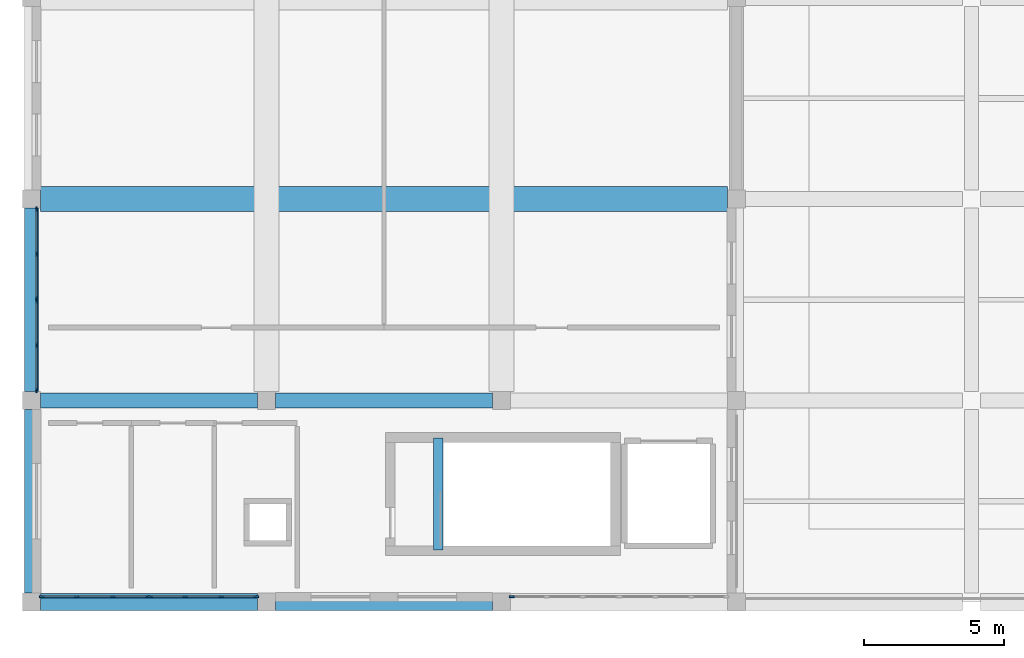
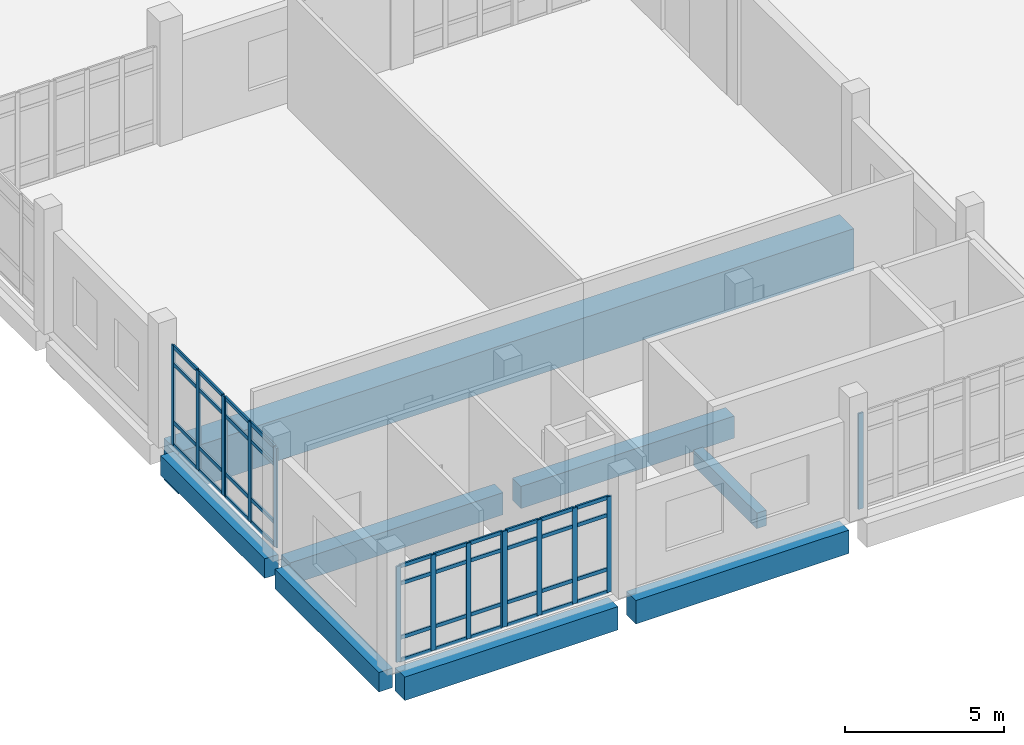
# One storey, part 2 of 73: 55 members, 8 beams, 5 elements without a shape of their own.
"""IFC4 building model written with IfcOpenShell, lengths in metres."""

import ifcopenshell
import ifcopenshell.guid

model = None  # the IFC model being written
_history = None  # IfcOwnerHistory: only IFC2X3 demands one
_inside = {}  # id of a spatial element -> (the spatial element, [elements in it])
_under = {}  # id of a project, library or spatial element -> (it, [spatial elements below it])
_declared = {}  # id of a project -> (the project, [libraries it declares])
_typed = {}  # id of a type object -> (the type object, [elements of that type])
_made_of = {}  # id of a material, layer set ... -> (it, [elements and type objects made of it])


def new_model(schema):
    """Start an empty IFC model of exactly this schema.

    Asked for "IFC4X3", IfcOpenShell would pick the latest addendum, in which some entities
    have other attributes; the version numbers below select the first issue.
    IFC2X3 requires an IfcOwnerHistory on every rooted entity: one is made here for all.
    """
    global model, _history
    if schema == "IFC4X3":
        model = ifcopenshell.file(schema_version=(4, 3, 0, 0))
    else:
        model = ifcopenshell.file(schema=schema)
    _inside.clear()
    _under.clear()
    _declared.clear()
    _typed.clear()
    _made_of.clear()
    _history = None
    if model.schema == "IFC2X3":
        org = make("IfcOrganization", Name="unknown")
        user = make(
            "IfcPersonAndOrganization",
            ThePerson=make("IfcPerson", FamilyName="unknown"),
            TheOrganization=org,
        )
        app = make(
            "IfcApplication",
            ApplicationDeveloper=org,
            Version="unknown",
            ApplicationFullName="unknown",
            ApplicationIdentifier="unknown",
        )
        _history = make(
            "IfcOwnerHistory",
            OwningUser=user,
            OwningApplication=app,
            ChangeAction="ADDED",
            CreationDate=0,
        )
    return model


def make(cls, **values):
    """One entity of the class cls with the attributes given. An attribute that is None is left unset."""
    return model.create_entity(
        cls, **{name: value for name, value in values.items() if value is not None}
    )


def rooted(cls, **values):
    """An entity with a GlobalId (a new one), such as an element, a storey or a relation."""
    return make(cls, GlobalId=ifcopenshell.guid.new(), OwnerHistory=_history, **values)


def si_unit(unit_type, name, prefix=None):
    """IfcSIUnit, for example si_unit("LENGTHUNIT", "METRE", prefix="MILLI")."""
    return make("IfcSIUnit", UnitType=unit_type, Prefix=prefix, Name=name)


def assignment(units):
    """IfcUnitAssignment: the units of a project."""
    return None if units is None else make("IfcUnitAssignment", Units=units)


def point(xyz):
    """IfcCartesianPoint."""
    return None if xyz is None else make("IfcCartesianPoint", Coordinates=xyz)


def direction(xyz):
    """IfcDirection."""
    return None if xyz is None else make("IfcDirection", DirectionRatios=xyz)


def frame(location, z_axis=None, x_axis=None):
    """IfcAxis2Placement3D, a coordinate frame: its origin and axes. An axis left out is left unset."""
    return make(
        "IfcAxis2Placement3D",
        Location=point(location),
        Axis=direction(z_axis),
        RefDirection=direction(x_axis),
    )


def frame_2d(location, x_axis=None):
    """IfcAxis2Placement2D, a coordinate frame in the plane: its origin and x axis."""
    return make(
        "IfcAxis2Placement2D", Location=point(location), RefDirection=direction(x_axis)
    )


def origin():
    """The frame at (0, 0, 0) with its axes left unset."""
    return frame((0.0, 0.0, 0.0))


def origin_2d():
    """The frame at (0, 0) in the plane with its x axis left unset."""
    return frame_2d((0.0, 0.0))


def place(relative_to, where):
    """IfcLocalPlacement: puts the frame where relative to a parent placement (None: the world)."""
    return make(
        "IfcLocalPlacement", PlacementRelTo=relative_to, RelativePlacement=where
    )


def context(
    kind, dimensions, precision=None, world=None, true_north=None, identifier=None
):
    """IfcGeometricRepresentationContext, for example the 3D "Model" context."""
    return make(
        "IfcGeometricRepresentationContext",
        ContextIdentifier=identifier,
        ContextType=kind,
        CoordinateSpaceDimension=dimensions,
        Precision=precision,
        WorldCoordinateSystem=world,
        TrueNorth=true_north,
    )


def subcontext(parent, identifier, kind, view, scale=None):
    """IfcGeometricRepresentationSubContext, for example "Body" below "Model"."""
    return make(
        "IfcGeometricRepresentationSubContext",
        ContextIdentifier=identifier,
        ContextType=kind,
        ParentContext=parent,
        TargetScale=scale,
        TargetView=view,
    )


def project(units=None, contexts=None):
    """IfcProject with its units and contexts."""
    return rooted(
        "IfcProject",
        Name="project",
        RepresentationContexts=contexts,
        UnitsInContext=assignment(units),
    )


def spatial(cls, under=None, at=None, **own):
    """A site, building, storey or space (cls), placed at a placement, below another one or the project."""
    s = rooted(cls, ObjectPlacement=at, **own)
    if under is not None:
        _under.setdefault(under.id(), (under, []))[1].append(s)
    return s


def profile(cls, at=None, kind="AREA", **sizes):
    """A parametric profile (cls). Its sizes go by their IFC names, for example OverallWidth=200.0."""
    return make(cls, ProfileType=kind, Position=at, **sizes)


def rectangle(**sizes):
    """IfcRectangleProfileDef."""
    return profile("IfcRectangleProfileDef", **sizes)


def extrude(swept, where, along, depth):
    """IfcExtrudedAreaSolid: the profile swept, set in the frame where, extruded along a direction by depth."""
    return make(
        "IfcExtrudedAreaSolid",
        SweptArea=swept,
        Position=where,
        ExtrudedDirection=direction(along),
        Depth=depth,
    )


def shape(context_of_items, identifier, shape_type, items):
    """IfcShapeRepresentation: the items that make up one representation, for example the "Body"."""
    return make(
        "IfcShapeRepresentation",
        ContextOfItems=context_of_items,
        RepresentationIdentifier=identifier,
        RepresentationType=shape_type,
        Items=items,
    )


def material(Name=None, Category=None):
    """IfcMaterial."""
    return make("IfcMaterial", Name=Name, Category=Category)


def layer(
    of_material, thickness, ventilated=None, Name=None, Category=None, Priority=None
):
    """IfcMaterialLayer: one layer of a wall or slab, of a material (None: an air gap)."""
    return make(
        "IfcMaterialLayer",
        Material=of_material,
        LayerThickness=thickness,
        IsVentilated=ventilated,
        Name=Name,
        Category=Category,
        Priority=Priority,
    )


def layer_set(layers, Name=None):
    """IfcMaterialLayerSet."""
    return make("IfcMaterialLayerSet", MaterialLayers=layers, LayerSetName=Name)


def material_profile(
    of_material, cross_section, Name=None, Category=None, Priority=None
):
    """IfcMaterialProfile: a cross section and its material."""
    return make(
        "IfcMaterialProfile",
        Name=Name,
        Material=of_material,
        Profile=cross_section,
        Priority=Priority,
        Category=Category,
    )


def profile_set(profiles, Name=None, composite=None):
    """IfcMaterialProfileSet."""
    return make(
        "IfcMaterialProfileSet",
        Name=Name,
        MaterialProfiles=profiles,
        CompositeProfile=composite,
    )


def made_of(thing, what):
    """Note that an element or type object is made of a material, layer set ...; save() writes the relation."""
    if what is not None:
        _made_of.setdefault(what.id(), (what, []))[1].append(thing)
    return thing


def type_object(cls, material=None, **own):
    """A type object (cls), such as IfcWallType, which elements share."""
    return made_of(rooted(cls, **own), material)


def element(
    cls,
    number,
    at=None,
    inside=None,
    cuts=None,
    type_object=None,
    material=None,
    context=None,
    identifier="Body",
    shape_type=None,
    held_by="IfcProductDefinitionShape",
    body=None,
    shapes=None,
    **own,
):
    """One element of the class cls, such as IfcWall. Its Tag is "e" and its number.

    at: its placement. inside: the storey or other place that contains it. cuts: it is an
    opening in that element (IfcRelVoidsElement). A single representation is given by context,
    identifier, shape_type and body (its items); several are given by shapes. held_by: the class
    of the entity that holds the representations. save() writes the other relations.
    """
    e = rooted(cls, Tag="e%d" % number, ObjectPlacement=at, **own)
    if body is not None:
        shapes = [shape(context, identifier, shape_type, body)]
    if shapes is not None:
        e.Representation = make(held_by, Representations=shapes)
    if inside is not None:
        _inside.setdefault(inside.id(), (inside, []))[1].append(e)
    if cuts is not None:
        rooted(
            "IfcRelVoidsElement", RelatingBuildingElement=cuts, RelatedOpeningElement=e
        )
    if type_object is not None:
        _typed.setdefault(type_object.id(), (type_object, []))[1].append(e)
    return made_of(e, material)


def aggregate(whole, parts):
    """IfcRelAggregates: a whole, such as a stair, and the parts it consists of."""
    return rooted("IfcRelAggregates", RelatingObject=whole, RelatedObjects=parts)


def save(model, path):
    """Write the relations noted so far, then the file.

    IfcRelAggregates (storeys below a building ...), IfcRelContainedInSpatialStructure (elements
    in a storey), IfcRelDefinesByType, IfcRelAssociatesMaterial and IfcRelDeclares: one each for
    every whole, place, type object, material and project.
    """
    for whole, parts in _under.values():
        aggregate(whole, parts)
    for where, things in _inside.values():
        rooted(
            "IfcRelContainedInSpatialStructure",
            RelatedElements=things,
            RelatingStructure=where,
        )
    for kind, things in _typed.values():
        rooted("IfcRelDefinesByType", RelatedObjects=things, RelatingType=kind)
    for what, things in _made_of.values():
        rooted("IfcRelAssociatesMaterial", RelatedObjects=things, RelatingMaterial=what)
    for by, libraries in _declared.values():
        rooted("IfcRelDeclares", RelatingContext=by, RelatedDefinitions=libraries)
    model.write(path)


model = new_model("IFC4")

# Units and contexts
model_context = context("Model", 3, precision=1e-05, world=origin(), true_north=direction((0.0, 1.0)))
body_context = subcontext(model_context, "Body", "Model", "MODEL_VIEW")
ifc_project = project(units=[si_unit("LENGTHUNIT", "METRE"), si_unit("AREAUNIT", "SQUARE_METRE"), si_unit("VOLUMEUNIT", "CUBIC_METRE"), si_unit("PLANEANGLEUNIT", "RADIAN"), si_unit("MASSUNIT", "GRAM", prefix="KILO")], contexts=[model_context])

# Site, building, storey
site_placement = place(None, origin())
site = spatial("IfcSite", under=ifc_project, at=site_placement, CompositionType="ELEMENT")
building_placement = place(site_placement, origin())
building = spatial("IfcBuilding", under=site, at=building_placement, Name="Kelarvand Opera House", CompositionType="ELEMENT")
storey_placement = place(building_placement, frame((0.0, 0.0, 10.199951171875)))
storey = spatial("IfcBuildingStorey", under=building, at=storey_placement, Name="L02", CompositionType="ELEMENT", Elevation=10.199951171875)

# Curtain wall, members
ifc_material_1 = material(Name="Thermally broken aluminium and low-E glazing", Category="aluminium")
ifc_layer_1 = layer(ifc_material_1, 0.179931640625, Name="Thermally broken aluminium and low-E glazing", Category="aluminium")
ifc_layer_set_1 = layer_set([ifc_layer_1], Name="Thermally broken aluminium and low-E glazing")
curtain_wall_type_1 = type_object("IfcCurtainWallType", Name="Unitised Low-E Curtain Wall 3261x3830 Mod 1350 CWF-34", PredefinedType="USERDEFINED", material=ifc_layer_set_1)
curtain_wall_1_placement = place(storey_placement, origin())
curtain_wall_1 = element("IfcCurtainWall", 1, at=curtain_wall_1_placement, inside=storey, type_object=curtain_wall_type_1, Name="V4 L02 Curtain Wall CWF-34 (155)", ObjectType="UNITISED CURTAIN WALL", PredefinedType="USERDEFINED")
ifc_material_2 = material(Name="Thermally broken anodised aluminium", Category="aluminium")
ifc_material_profile_1 = material_profile(ifc_material_2, rectangle(XDim=0.06494140625, YDim=0.179931640625, at=origin_2d()), Name="ALU MULLION 65x180", Category="aluminium")
ifc_profile_set_1 = profile_set([ifc_material_profile_1], Name="Thermally broken anodised aluminium")
member_type_1 = type_object("IfcMemberType", Name="Curtain Wall Mullion 65x180 Aluminium", PredefinedType="MULLION", material=ifc_profile_set_1)
member_1_placement = place(storey_placement, frame((9.179931640625, 16.5673828125, 0.0), z_axis=(0.0, 0.0, 1.0), x_axis=(-1.0, 0.0, 0.0)))
member_1 = element("IfcMember", 2, at=member_1_placement, type_object=member_type_1, Name="CWF-34 mullion 1", PredefinedType="MULLION", context=body_context, shape_type="SweptSolid", body=[
    extrude(rectangle(XDim=0.06494140625, YDim=0.179931640625, at=origin_2d()), origin(), (0.0, 0.0, 1.0), 3.830078125),
])
member_2_placement = place(storey_placement, frame((9.179931640625, 18.16552734375, 0.0), z_axis=(0.0, 0.0, 1.0), x_axis=(-1.0, 0.0, 0.0)))
member_2 = element("IfcMember", 3, at=member_2_placement, type_object=member_type_1, Name="CWF-34 mullion 2", PredefinedType="MULLION", context=body_context, shape_type="SweptSolid", body=[
    extrude(rectangle(XDim=0.06494140625, YDim=0.179931640625, at=origin_2d()), origin(), (0.0, 0.0, 1.0), 3.830078125),
])
member_3_placement = place(storey_placement, frame((9.179931640625, 19.763427734375, 0.0), z_axis=(0.0, 0.0, 1.0), x_axis=(-1.0, 0.0, 0.0)))
member_3 = element("IfcMember", 4, at=member_3_placement, type_object=member_type_1, Name="CWF-34 mullion 3", PredefinedType="MULLION", context=body_context, shape_type="SweptSolid", body=[
    extrude(rectangle(XDim=0.06494140625, YDim=0.179931640625, at=origin_2d()), origin(), (0.0, 0.0, 1.0), 3.830078125),
])

curtain_wall_2_placement = place(storey_placement, origin())
curtain_wall_2 = element("IfcCurtainWall", 5, at=curtain_wall_2_placement, inside=storey, type_object=curtain_wall_type_1, Name="V4 L02 Curtain Wall CWF-34 (156)", ObjectType="UNITISED CURTAIN WALL", PredefinedType="USERDEFINED")
member_4_placement = place(storey_placement, frame((9.179931640625, 19.83251953125, 0.0), z_axis=(0.0, 0.0, 1.0), x_axis=(-1.0, 0.0, 0.0)))
member_4 = element("IfcMember", 6, at=member_4_placement, type_object=member_type_1, Name="CWF-34 mullion 1", PredefinedType="MULLION", context=body_context, shape_type="SweptSolid", body=[
    extrude(rectangle(XDim=0.06494140625, YDim=0.179931640625, at=origin_2d()), origin(), (0.0, 0.0, 1.0), 3.830078125),
])
member_5_placement = place(storey_placement, frame((9.179931640625, 21.4326171875, 0.0), z_axis=(0.0, 0.0, 1.0), x_axis=(-1.0, 0.0, 0.0)))
member_5 = element("IfcMember", 7, at=member_5_placement, type_object=member_type_1, Name="CWF-34 mullion 2", PredefinedType="MULLION", context=body_context, shape_type="SweptSolid", body=[
    extrude(rectangle(XDim=0.06494140625, YDim=0.179931640625, at=origin_2d()), origin(), (0.0, 0.0, 1.0), 3.830078125),
])
member_6_placement = place(storey_placement, frame((9.179931640625, 23.032470703125, 0.0), z_axis=(0.0, 0.0, 1.0), x_axis=(-1.0, 0.0, 0.0)))
member_6 = element("IfcMember", 8, at=member_6_placement, type_object=member_type_1, Name="CWF-34 mullion 3", PredefinedType="MULLION", context=body_context, shape_type="SweptSolid", body=[
    extrude(rectangle(XDim=0.06494140625, YDim=0.179931640625, at=origin_2d()), origin(), (0.0, 0.0, 1.0), 3.830078125),
])

# Curtain wall, member
ifc_layer_2 = layer(ifc_material_1, 0.179931640625, Name="Thermally broken aluminium and low-E glazing", Category="aluminium")
ifc_layer_set_2 = layer_set([ifc_layer_2], Name="Thermally broken aluminium and low-E glazing")
curtain_wall_type_2 = type_object("IfcCurtainWallType", Name="Unitised Low-E Curtain Wall 3861x3680 Mod 1350 CWF-36", PredefinedType="USERDEFINED", material=ifc_layer_set_2)
curtain_wall_3_placement = place(storey_placement, origin())
curtain_wall_3 = element("IfcCurtainWall", 9, at=curtain_wall_3_placement, inside=storey, type_object=curtain_wall_type_2, Name="V4 L02 Curtain Wall CWF-36 (160)", ObjectType="UNITISED CURTAIN WALL", PredefinedType="USERDEFINED")
member_7_placement = place(storey_placement, frame((26.16748046875, 9.179931640625, 0.0), z_axis=(0.0, 0.0, 1.0), x_axis=(0.0, -1.0, 0.0)))
member_7 = element("IfcMember", 10, at=member_7_placement, type_object=member_type_1, Name="CWF-36 mullion 4", PredefinedType="MULLION", context=body_context, shape_type="SweptSolid", body=[
    extrude(rectangle(XDim=0.06494140625, YDim=0.179931640625, at=origin_2d()), origin(), (0.0, 0.0, 1.0), 3.679931640625),
])
aggregate(curtain_wall_3, [member_7])

# Curtain wall, members
curtain_wall_4_placement = place(storey_placement, origin())
curtain_wall_4 = element("IfcCurtainWall", 11, at=curtain_wall_4_placement, inside=storey, type_object=curtain_wall_type_2, Name="V4 L02 Curtain Wall CWF-36 (161)", ObjectType="UNITISED CURTAIN WALL", PredefinedType="USERDEFINED")
member_8_placement = place(storey_placement, frame((17.032470703125, 9.179931640625, 0.0), z_axis=(0.0, 0.0, 1.0), x_axis=(0.0, -1.0, 0.0)))
member_8 = element("IfcMember", 12, at=member_8_placement, type_object=member_type_1, Name="CWF-36 mullion 1", PredefinedType="MULLION", context=body_context, shape_type="SweptSolid", body=[
    extrude(rectangle(XDim=0.06494140625, YDim=0.179931640625, at=origin_2d()), origin(), (0.0, 0.0, 1.0), 3.679931640625),
])
member_9_placement = place(storey_placement, frame((15.778076171875, 9.179931640625, 0.0), z_axis=(0.0, 0.0, 1.0), x_axis=(0.0, -1.0, 0.0)))
member_9 = element("IfcMember", 13, at=member_9_placement, type_object=member_type_1, Name="CWF-36 mullion 2", PredefinedType="MULLION", context=body_context, shape_type="SweptSolid", body=[
    extrude(rectangle(XDim=0.06494140625, YDim=0.179931640625, at=origin_2d()), origin(), (0.0, 0.0, 1.0), 3.679931640625),
])
member_10_placement = place(storey_placement, frame((14.490966796875, 9.179931640625, 0.0), z_axis=(0.0, 0.0, 1.0), x_axis=(0.0, -1.0, 0.0)))
member_10 = element("IfcMember", 14, at=member_10_placement, type_object=member_type_1, Name="CWF-36 mullion 3", PredefinedType="MULLION", context=body_context, shape_type="SweptSolid", body=[
    extrude(rectangle(XDim=0.06494140625, YDim=0.179931640625, at=origin_2d()), origin(), (0.0, 0.0, 1.0), 3.679931640625),
])
member_11_placement = place(storey_placement, frame((13.236572265625, 9.179931640625, 0.0), z_axis=(0.0, 0.0, 1.0), x_axis=(0.0, -1.0, 0.0)))
member_11 = element("IfcMember", 15, at=member_11_placement, type_object=member_type_1, Name="CWF-36 mullion 4", PredefinedType="MULLION", context=body_context, shape_type="SweptSolid", body=[
    extrude(rectangle(XDim=0.06494140625, YDim=0.179931640625, at=origin_2d()), origin(), (0.0, 0.0, 1.0), 3.679931640625),
])

curtain_wall_5_placement = place(storey_placement, origin())
curtain_wall_5 = element("IfcCurtainWall", 16, at=curtain_wall_5_placement, inside=storey, type_object=curtain_wall_type_2, Name="V4 L02 Curtain Wall CWF-36 (162)", ObjectType="UNITISED CURTAIN WALL", PredefinedType="USERDEFINED")
member_12_placement = place(storey_placement, frame((13.16748046875, 9.179931640625, 0.0), z_axis=(0.0, 0.0, 1.0), x_axis=(0.0, -1.0, 0.0)))
member_12 = element("IfcMember", 17, at=member_12_placement, type_object=member_type_1, Name="CWF-36 mullion 1", PredefinedType="MULLION", context=body_context, shape_type="SweptSolid", body=[
    extrude(rectangle(XDim=0.06494140625, YDim=0.179931640625, at=origin_2d()), origin(), (0.0, 0.0, 1.0), 3.679931640625),
])
member_13_placement = place(storey_placement, frame((11.91162109375, 9.179931640625, 0.0), z_axis=(0.0, 0.0, 1.0), x_axis=(0.0, -1.0, 0.0)))
member_13 = element("IfcMember", 18, at=member_13_placement, type_object=member_type_1, Name="CWF-36 mullion 2", PredefinedType="MULLION", context=body_context, shape_type="SweptSolid", body=[
    extrude(rectangle(XDim=0.06494140625, YDim=0.179931640625, at=origin_2d()), origin(), (0.0, 0.0, 1.0), 3.679931640625),
])
member_14_placement = place(storey_placement, frame((10.623291015625, 9.179931640625, 0.0), z_axis=(0.0, 0.0, 1.0), x_axis=(0.0, -1.0, 0.0)))
member_14 = element("IfcMember", 19, at=member_14_placement, type_object=member_type_1, Name="CWF-36 mullion 3", PredefinedType="MULLION", context=body_context, shape_type="SweptSolid", body=[
    extrude(rectangle(XDim=0.06494140625, YDim=0.179931640625, at=origin_2d()), origin(), (0.0, 0.0, 1.0), 3.679931640625),
])
member_15_placement = place(storey_placement, frame((9.367431640625, 9.179931640625, 0.0), z_axis=(0.0, 0.0, 1.0), x_axis=(0.0, -1.0, 0.0)))
member_15 = element("IfcMember", 20, at=member_15_placement, type_object=member_type_1, Name="CWF-36 mullion 4", PredefinedType="MULLION", context=body_context, shape_type="SweptSolid", body=[
    extrude(rectangle(XDim=0.06494140625, YDim=0.179931640625, at=origin_2d()), origin(), (0.0, 0.0, 1.0), 3.679931640625),
])

# Member
ifc_material_profile_2 = material_profile(ifc_material_2, rectangle(XDim=0.06494140625, YDim=0.139892578125, at=origin_2d()), Name="ALU TRANSOM 65x140", Category="aluminium")
ifc_profile_set_2 = profile_set([ifc_material_profile_2], Name="Thermally broken anodised aluminium")
member_type_2 = type_object("IfcMemberType", Name="Curtain Wall Transom 65x140 Aluminium", PredefinedType="USERDEFINED", material=ifc_profile_set_2)
member_16_placement = place(storey_placement, frame((9.179931640625, 16.60009765625, 0.032470703125), z_axis=(0.0, 1.0, 0.0), x_axis=(-1.0, 0.0, 0.0)))
member_16 = element("IfcMember", 21, at=member_16_placement, type_object=member_type_2, Name="CWF-34 transom 1.1", ObjectType="TRANSOM", PredefinedType="USERDEFINED", context=body_context, shape_type="SweptSolid", body=[
    extrude(rectangle(XDim=0.06494140625, YDim=0.139892578125, at=origin_2d()), origin(), (0.0, 0.0, 1.0), 1.532958984375),
])

member_17_placement = place(storey_placement, frame((9.179931640625, 16.60009765625, 0.900146484375), z_axis=(0.0, 1.0, 0.0), x_axis=(-1.0, 0.0, 0.0)))
member_17 = element("IfcMember", 22, at=member_17_placement, type_object=member_type_2, Name="CWF-34 transom 1.2", ObjectType="TRANSOM", PredefinedType="USERDEFINED", context=body_context, shape_type="SweptSolid", body=[
    extrude(rectangle(XDim=0.06494140625, YDim=0.139892578125, at=origin_2d()), origin(), (0.0, 0.0, 1.0), 1.532958984375),
])

member_18_placement = place(storey_placement, frame((9.179931640625, 16.60009765625, 3.130126953125), z_axis=(0.0, 1.0, 0.0), x_axis=(-1.0, 0.0, 0.0)))
member_18 = element("IfcMember", 23, at=member_18_placement, type_object=member_type_2, Name="CWF-34 transom 1.3", ObjectType="TRANSOM", PredefinedType="USERDEFINED", context=body_context, shape_type="SweptSolid", body=[
    extrude(rectangle(XDim=0.06494140625, YDim=0.139892578125, at=origin_2d()), origin(), (0.0, 0.0, 1.0), 1.532958984375),
])

member_19_placement = place(storey_placement, frame((9.179931640625, 16.60009765625, 3.797607421875), z_axis=(0.0, 1.0, 0.0), x_axis=(-1.0, 0.0, 0.0)))
member_19 = element("IfcMember", 24, at=member_19_placement, type_object=member_type_2, Name="CWF-34 transom 1.4", ObjectType="TRANSOM", PredefinedType="USERDEFINED", context=body_context, shape_type="SweptSolid", body=[
    extrude(rectangle(XDim=0.06494140625, YDim=0.139892578125, at=origin_2d()), origin(), (0.0, 0.0, 1.0), 1.532958984375),
])

member_20_placement = place(storey_placement, frame((9.179931640625, 18.197998046875, 0.032470703125), z_axis=(0.0, 1.0, 0.0), x_axis=(-1.0, 0.0, 0.0)))
member_20 = element("IfcMember", 25, at=member_20_placement, type_object=member_type_2, Name="CWF-34 transom 2.1", ObjectType="TRANSOM", PredefinedType="USERDEFINED", context=body_context, shape_type="SweptSolid", body=[
    extrude(rectangle(XDim=0.06494140625, YDim=0.139892578125, at=origin_2d()), origin(), (0.0, 0.0, 1.0), 1.532958984375),
])

member_21_placement = place(storey_placement, frame((9.179931640625, 18.197998046875, 0.900146484375), z_axis=(0.0, 1.0, 0.0), x_axis=(-1.0, 0.0, 0.0)))
member_21 = element("IfcMember", 26, at=member_21_placement, type_object=member_type_2, Name="CWF-34 transom 2.2", ObjectType="TRANSOM", PredefinedType="USERDEFINED", context=body_context, shape_type="SweptSolid", body=[
    extrude(rectangle(XDim=0.06494140625, YDim=0.139892578125, at=origin_2d()), origin(), (0.0, 0.0, 1.0), 1.532958984375),
])

member_22_placement = place(storey_placement, frame((9.179931640625, 18.197998046875, 3.130126953125), z_axis=(0.0, 1.0, 0.0), x_axis=(-1.0, 0.0, 0.0)))
member_22 = element("IfcMember", 27, at=member_22_placement, type_object=member_type_2, Name="CWF-34 transom 2.3", ObjectType="TRANSOM", PredefinedType="USERDEFINED", context=body_context, shape_type="SweptSolid", body=[
    extrude(rectangle(XDim=0.06494140625, YDim=0.139892578125, at=origin_2d()), origin(), (0.0, 0.0, 1.0), 1.532958984375),
])

member_23_placement = place(storey_placement, frame((9.179931640625, 18.197998046875, 3.797607421875), z_axis=(0.0, 1.0, 0.0), x_axis=(-1.0, 0.0, 0.0)))
member_23 = element("IfcMember", 28, at=member_23_placement, type_object=member_type_2, Name="CWF-34 transom 2.4", ObjectType="TRANSOM", PredefinedType="USERDEFINED", context=body_context, shape_type="SweptSolid", body=[
    extrude(rectangle(XDim=0.06494140625, YDim=0.139892578125, at=origin_2d()), origin(), (0.0, 0.0, 1.0), 1.532958984375),
])

aggregate(curtain_wall_1, [member_1, member_2, member_3, member_16, member_17, member_18, member_19, member_20, member_21, member_22, member_23])

member_24_placement = place(storey_placement, frame((9.179931640625, 19.864990234375, 0.032470703125), z_axis=(0.0, 1.0, 0.0), x_axis=(-1.0, 0.0, 0.0)))
member_24 = element("IfcMember", 29, at=member_24_placement, type_object=member_type_2, Name="CWF-34 transom 1.1", ObjectType="TRANSOM", PredefinedType="USERDEFINED", context=body_context, shape_type="SweptSolid", body=[
    extrude(rectangle(XDim=0.06494140625, YDim=0.139892578125, at=origin_2d()), origin(), (0.0, 0.0, 1.0), 1.534912109375),
])

member_25_placement = place(storey_placement, frame((9.179931640625, 19.864990234375, 0.900146484375), z_axis=(0.0, 1.0, 0.0), x_axis=(-1.0, 0.0, 0.0)))
member_25 = element("IfcMember", 30, at=member_25_placement, type_object=member_type_2, Name="CWF-34 transom 1.2", ObjectType="TRANSOM", PredefinedType="USERDEFINED", context=body_context, shape_type="SweptSolid", body=[
    extrude(rectangle(XDim=0.06494140625, YDim=0.139892578125, at=origin_2d()), origin(), (0.0, 0.0, 1.0), 1.534912109375),
])

member_26_placement = place(storey_placement, frame((9.179931640625, 19.864990234375, 3.130126953125), z_axis=(0.0, 1.0, 0.0), x_axis=(-1.0, 0.0, 0.0)))
member_26 = element("IfcMember", 31, at=member_26_placement, type_object=member_type_2, Name="CWF-34 transom 1.3", ObjectType="TRANSOM", PredefinedType="USERDEFINED", context=body_context, shape_type="SweptSolid", body=[
    extrude(rectangle(XDim=0.06494140625, YDim=0.139892578125, at=origin_2d()), origin(), (0.0, 0.0, 1.0), 1.534912109375),
])

member_27_placement = place(storey_placement, frame((9.179931640625, 19.864990234375, 3.797607421875), z_axis=(0.0, 1.0, 0.0), x_axis=(-1.0, 0.0, 0.0)))
member_27 = element("IfcMember", 32, at=member_27_placement, type_object=member_type_2, Name="CWF-34 transom 1.4", ObjectType="TRANSOM", PredefinedType="USERDEFINED", context=body_context, shape_type="SweptSolid", body=[
    extrude(rectangle(XDim=0.06494140625, YDim=0.139892578125, at=origin_2d()), origin(), (0.0, 0.0, 1.0), 1.534912109375),
])

member_28_placement = place(storey_placement, frame((9.179931640625, 21.465087890625, 0.032470703125), z_axis=(0.0, 1.0, 0.0), x_axis=(-1.0, 0.0, 0.0)))
member_28 = element("IfcMember", 33, at=member_28_placement, type_object=member_type_2, Name="CWF-34 transom 2.1", ObjectType="TRANSOM", PredefinedType="USERDEFINED", context=body_context, shape_type="SweptSolid", body=[
    extrude(rectangle(XDim=0.06494140625, YDim=0.139892578125, at=origin_2d()), origin(), (0.0, 0.0, 1.0), 1.534912109375),
])

member_29_placement = place(storey_placement, frame((9.179931640625, 21.465087890625, 0.900146484375), z_axis=(0.0, 1.0, 0.0), x_axis=(-1.0, 0.0, 0.0)))
member_29 = element("IfcMember", 34, at=member_29_placement, type_object=member_type_2, Name="CWF-34 transom 2.2", ObjectType="TRANSOM", PredefinedType="USERDEFINED", context=body_context, shape_type="SweptSolid", body=[
    extrude(rectangle(XDim=0.06494140625, YDim=0.139892578125, at=origin_2d()), origin(), (0.0, 0.0, 1.0), 1.534912109375),
])

member_30_placement = place(storey_placement, frame((9.179931640625, 21.465087890625, 3.130126953125), z_axis=(0.0, 1.0, 0.0), x_axis=(-1.0, 0.0, 0.0)))
member_30 = element("IfcMember", 35, at=member_30_placement, type_object=member_type_2, Name="CWF-34 transom 2.3", ObjectType="TRANSOM", PredefinedType="USERDEFINED", context=body_context, shape_type="SweptSolid", body=[
    extrude(rectangle(XDim=0.06494140625, YDim=0.139892578125, at=origin_2d()), origin(), (0.0, 0.0, 1.0), 1.534912109375),
])

member_31_placement = place(storey_placement, frame((9.179931640625, 21.465087890625, 3.797607421875), z_axis=(0.0, 1.0, 0.0), x_axis=(-1.0, 0.0, 0.0)))
member_31 = element("IfcMember", 36, at=member_31_placement, type_object=member_type_2, Name="CWF-34 transom 2.4", ObjectType="TRANSOM", PredefinedType="USERDEFINED", context=body_context, shape_type="SweptSolid", body=[
    extrude(rectangle(XDim=0.06494140625, YDim=0.139892578125, at=origin_2d()), origin(), (0.0, 0.0, 1.0), 1.534912109375),
])

aggregate(curtain_wall_2, [member_4, member_5, member_6, member_24, member_25, member_26, member_27, member_28, member_29, member_30, member_31])

member_32_placement = place(storey_placement, frame((17.0, 9.179931640625, 0.032470703125), z_axis=(-1.0, 0.0, 0.0), x_axis=(0.0, -1.0, 0.0)))
member_32 = element("IfcMember", 37, at=member_32_placement, type_object=member_type_2, Name="CWF-36 transom 1.1", ObjectType="TRANSOM", PredefinedType="USERDEFINED", context=body_context, shape_type="SweptSolid", body=[
    extrude(rectangle(XDim=0.06494140625, YDim=0.139892578125, at=origin_2d()), origin(), (0.0, 0.0, 1.0), 1.189453125),
])

member_33_placement = place(storey_placement, frame((17.0, 9.179931640625, 0.900146484375), z_axis=(-1.0, 0.0, 0.0), x_axis=(0.0, -1.0, 0.0)))
member_33 = element("IfcMember", 38, at=member_33_placement, type_object=member_type_2, Name="CWF-36 transom 1.2", ObjectType="TRANSOM", PredefinedType="USERDEFINED", context=body_context, shape_type="SweptSolid", body=[
    extrude(rectangle(XDim=0.06494140625, YDim=0.139892578125, at=origin_2d()), origin(), (0.0, 0.0, 1.0), 1.189453125),
])

member_34_placement = place(storey_placement, frame((17.0, 9.179931640625, 2.97998046875), z_axis=(-1.0, 0.0, 0.0), x_axis=(0.0, -1.0, 0.0)))
member_34 = element("IfcMember", 39, at=member_34_placement, type_object=member_type_2, Name="CWF-36 transom 1.3", ObjectType="TRANSOM", PredefinedType="USERDEFINED", context=body_context, shape_type="SweptSolid", body=[
    extrude(rectangle(XDim=0.06494140625, YDim=0.139892578125, at=origin_2d()), origin(), (0.0, 0.0, 1.0), 1.189453125),
])

member_35_placement = place(storey_placement, frame((17.0, 9.179931640625, 3.6474609375), z_axis=(-1.0, 0.0, 0.0), x_axis=(0.0, -1.0, 0.0)))
member_35 = element("IfcMember", 40, at=member_35_placement, type_object=member_type_2, Name="CWF-36 transom 1.4", ObjectType="TRANSOM", PredefinedType="USERDEFINED", context=body_context, shape_type="SweptSolid", body=[
    extrude(rectangle(XDim=0.06494140625, YDim=0.139892578125, at=origin_2d()), origin(), (0.0, 0.0, 1.0), 1.189453125),
])

member_36_placement = place(storey_placement, frame((15.74560546875, 9.179931640625, 0.032470703125), z_axis=(-1.0, 0.0, 0.0), x_axis=(0.0, -1.0, 0.0)))
member_36 = element("IfcMember", 41, at=member_36_placement, type_object=member_type_2, Name="CWF-36 transom 2.1", ObjectType="TRANSOM", PredefinedType="USERDEFINED", context=body_context, shape_type="SweptSolid", body=[
    extrude(rectangle(XDim=0.06494140625, YDim=0.139892578125, at=origin_2d()), origin(), (0.0, 0.0, 1.0), 1.22216796875),
])

member_37_placement = place(storey_placement, frame((15.74560546875, 9.179931640625, 0.900146484375), z_axis=(-1.0, 0.0, 0.0), x_axis=(0.0, -1.0, 0.0)))
member_37 = element("IfcMember", 42, at=member_37_placement, type_object=member_type_2, Name="CWF-36 transom 2.2", ObjectType="TRANSOM", PredefinedType="USERDEFINED", context=body_context, shape_type="SweptSolid", body=[
    extrude(rectangle(XDim=0.06494140625, YDim=0.139892578125, at=origin_2d()), origin(), (0.0, 0.0, 1.0), 1.22216796875),
])

member_38_placement = place(storey_placement, frame((15.74560546875, 9.179931640625, 2.97998046875), z_axis=(-1.0, 0.0, 0.0), x_axis=(0.0, -1.0, 0.0)))
member_38 = element("IfcMember", 43, at=member_38_placement, type_object=member_type_2, Name="CWF-36 transom 2.3", ObjectType="TRANSOM", PredefinedType="USERDEFINED", context=body_context, shape_type="SweptSolid", body=[
    extrude(rectangle(XDim=0.06494140625, YDim=0.139892578125, at=origin_2d()), origin(), (0.0, 0.0, 1.0), 1.22216796875),
])

member_39_placement = place(storey_placement, frame((15.74560546875, 9.179931640625, 3.6474609375), z_axis=(-1.0, 0.0, 0.0), x_axis=(0.0, -1.0, 0.0)))
member_39 = element("IfcMember", 44, at=member_39_placement, type_object=member_type_2, Name="CWF-36 transom 2.4", ObjectType="TRANSOM", PredefinedType="USERDEFINED", context=body_context, shape_type="SweptSolid", body=[
    extrude(rectangle(XDim=0.06494140625, YDim=0.139892578125, at=origin_2d()), origin(), (0.0, 0.0, 1.0), 1.22216796875),
])

member_40_placement = place(storey_placement, frame((14.45849609375, 9.179931640625, 0.032470703125), z_axis=(-1.0, 0.0, 0.0), x_axis=(0.0, -1.0, 0.0)))
member_40 = element("IfcMember", 45, at=member_40_placement, type_object=member_type_2, Name="CWF-36 transom 3.1", ObjectType="TRANSOM", PredefinedType="USERDEFINED", context=body_context, shape_type="SweptSolid", body=[
    extrude(rectangle(XDim=0.06494140625, YDim=0.139892578125, at=origin_2d()), origin(), (0.0, 0.0, 1.0), 1.189453125),
])

member_41_placement = place(storey_placement, frame((14.45849609375, 9.179931640625, 0.900146484375), z_axis=(-1.0, 0.0, 0.0), x_axis=(0.0, -1.0, 0.0)))
member_41 = element("IfcMember", 46, at=member_41_placement, type_object=member_type_2, Name="CWF-36 transom 3.2", ObjectType="TRANSOM", PredefinedType="USERDEFINED", context=body_context, shape_type="SweptSolid", body=[
    extrude(rectangle(XDim=0.06494140625, YDim=0.139892578125, at=origin_2d()), origin(), (0.0, 0.0, 1.0), 1.189453125),
])

member_42_placement = place(storey_placement, frame((14.45849609375, 9.179931640625, 2.97998046875), z_axis=(-1.0, 0.0, 0.0), x_axis=(0.0, -1.0, 0.0)))
member_42 = element("IfcMember", 47, at=member_42_placement, type_object=member_type_2, Name="CWF-36 transom 3.3", ObjectType="TRANSOM", PredefinedType="USERDEFINED", context=body_context, shape_type="SweptSolid", body=[
    extrude(rectangle(XDim=0.06494140625, YDim=0.139892578125, at=origin_2d()), origin(), (0.0, 0.0, 1.0), 1.189453125),
])

member_43_placement = place(storey_placement, frame((14.45849609375, 9.179931640625, 3.6474609375), z_axis=(-1.0, 0.0, 0.0), x_axis=(0.0, -1.0, 0.0)))
member_43 = element("IfcMember", 48, at=member_43_placement, type_object=member_type_2, Name="CWF-36 transom 3.4", ObjectType="TRANSOM", PredefinedType="USERDEFINED", context=body_context, shape_type="SweptSolid", body=[
    extrude(rectangle(XDim=0.06494140625, YDim=0.139892578125, at=origin_2d()), origin(), (0.0, 0.0, 1.0), 1.189453125),
])

aggregate(curtain_wall_4, [member_8, member_9, member_10, member_11, member_32, member_33, member_34, member_35, member_36, member_37, member_38, member_39, member_40, member_41, member_42, member_43])

member_44_placement = place(storey_placement, frame((13.135009765625, 9.179931640625, 0.032470703125), z_axis=(-1.0, 0.0, 0.0), x_axis=(0.0, -1.0, 0.0)))
member_44 = element("IfcMember", 49, at=member_44_placement, type_object=member_type_2, Name="CWF-36 transom 1.1", ObjectType="TRANSOM", PredefinedType="USERDEFINED", context=body_context, shape_type="SweptSolid", body=[
    extrude(rectangle(XDim=0.06494140625, YDim=0.139892578125, at=origin_2d()), origin(), (0.0, 0.0, 1.0), 1.19091796875),
])

member_45_placement = place(storey_placement, frame((13.135009765625, 9.179931640625, 0.900146484375), z_axis=(-1.0, 0.0, 0.0), x_axis=(0.0, -1.0, 0.0)))
member_45 = element("IfcMember", 50, at=member_45_placement, type_object=member_type_2, Name="CWF-36 transom 1.2", ObjectType="TRANSOM", PredefinedType="USERDEFINED", context=body_context, shape_type="SweptSolid", body=[
    extrude(rectangle(XDim=0.06494140625, YDim=0.139892578125, at=origin_2d()), origin(), (0.0, 0.0, 1.0), 1.19091796875),
])

member_46_placement = place(storey_placement, frame((13.135009765625, 9.179931640625, 2.97998046875), z_axis=(-1.0, 0.0, 0.0), x_axis=(0.0, -1.0, 0.0)))
member_46 = element("IfcMember", 51, at=member_46_placement, type_object=member_type_2, Name="CWF-36 transom 1.3", ObjectType="TRANSOM", PredefinedType="USERDEFINED", context=body_context, shape_type="SweptSolid", body=[
    extrude(rectangle(XDim=0.06494140625, YDim=0.139892578125, at=origin_2d()), origin(), (0.0, 0.0, 1.0), 1.19091796875),
])

member_47_placement = place(storey_placement, frame((13.135009765625, 9.179931640625, 3.6474609375), z_axis=(-1.0, 0.0, 0.0), x_axis=(0.0, -1.0, 0.0)))
member_47 = element("IfcMember", 52, at=member_47_placement, type_object=member_type_2, Name="CWF-36 transom 1.4", ObjectType="TRANSOM", PredefinedType="USERDEFINED", context=body_context, shape_type="SweptSolid", body=[
    extrude(rectangle(XDim=0.06494140625, YDim=0.139892578125, at=origin_2d()), origin(), (0.0, 0.0, 1.0), 1.19091796875),
])

member_48_placement = place(storey_placement, frame((11.879150390625, 9.179931640625, 0.032470703125), z_axis=(-1.0, 0.0, 0.0), x_axis=(0.0, -1.0, 0.0)))
member_48 = element("IfcMember", 53, at=member_48_placement, type_object=member_type_2, Name="CWF-36 transom 2.1", ObjectType="TRANSOM", PredefinedType="USERDEFINED", context=body_context, shape_type="SweptSolid", body=[
    extrude(rectangle(XDim=0.06494140625, YDim=0.139892578125, at=origin_2d()), origin(), (0.0, 0.0, 1.0), 1.223388671875),
])

member_49_placement = place(storey_placement, frame((11.879150390625, 9.179931640625, 0.900146484375), z_axis=(-1.0, 0.0, 0.0), x_axis=(0.0, -1.0, 0.0)))
member_49 = element("IfcMember", 54, at=member_49_placement, type_object=member_type_2, Name="CWF-36 transom 2.2", ObjectType="TRANSOM", PredefinedType="USERDEFINED", context=body_context, shape_type="SweptSolid", body=[
    extrude(rectangle(XDim=0.06494140625, YDim=0.139892578125, at=origin_2d()), origin(), (0.0, 0.0, 1.0), 1.223388671875),
])

member_50_placement = place(storey_placement, frame((11.879150390625, 9.179931640625, 2.97998046875), z_axis=(-1.0, 0.0, 0.0), x_axis=(0.0, -1.0, 0.0)))
member_50 = element("IfcMember", 55, at=member_50_placement, type_object=member_type_2, Name="CWF-36 transom 2.3", ObjectType="TRANSOM", PredefinedType="USERDEFINED", context=body_context, shape_type="SweptSolid", body=[
    extrude(rectangle(XDim=0.06494140625, YDim=0.139892578125, at=origin_2d()), origin(), (0.0, 0.0, 1.0), 1.223388671875),
])

member_51_placement = place(storey_placement, frame((11.879150390625, 9.179931640625, 3.6474609375), z_axis=(-1.0, 0.0, 0.0), x_axis=(0.0, -1.0, 0.0)))
member_51 = element("IfcMember", 56, at=member_51_placement, type_object=member_type_2, Name="CWF-36 transom 2.4", ObjectType="TRANSOM", PredefinedType="USERDEFINED", context=body_context, shape_type="SweptSolid", body=[
    extrude(rectangle(XDim=0.06494140625, YDim=0.139892578125, at=origin_2d()), origin(), (0.0, 0.0, 1.0), 1.223388671875),
])

member_52_placement = place(storey_placement, frame((10.5908203125, 9.179931640625, 0.032470703125), z_axis=(-1.0, 0.0, 0.0), x_axis=(0.0, -1.0, 0.0)))
member_52 = element("IfcMember", 57, at=member_52_placement, type_object=member_type_2, Name="CWF-36 transom 3.1", ObjectType="TRANSOM", PredefinedType="USERDEFINED", context=body_context, shape_type="SweptSolid", body=[
    extrude(rectangle(XDim=0.06494140625, YDim=0.139892578125, at=origin_2d()), origin(), (0.0, 0.0, 1.0), 1.19091796875),
])

member_53_placement = place(storey_placement, frame((10.5908203125, 9.179931640625, 0.900146484375), z_axis=(-1.0, 0.0, 0.0), x_axis=(0.0, -1.0, 0.0)))
member_53 = element("IfcMember", 58, at=member_53_placement, type_object=member_type_2, Name="CWF-36 transom 3.2", ObjectType="TRANSOM", PredefinedType="USERDEFINED", context=body_context, shape_type="SweptSolid", body=[
    extrude(rectangle(XDim=0.06494140625, YDim=0.139892578125, at=origin_2d()), origin(), (0.0, 0.0, 1.0), 1.19091796875),
])

member_54_placement = place(storey_placement, frame((10.5908203125, 9.179931640625, 2.97998046875), z_axis=(-1.0, 0.0, 0.0), x_axis=(0.0, -1.0, 0.0)))
member_54 = element("IfcMember", 59, at=member_54_placement, type_object=member_type_2, Name="CWF-36 transom 3.3", ObjectType="TRANSOM", PredefinedType="USERDEFINED", context=body_context, shape_type="SweptSolid", body=[
    extrude(rectangle(XDim=0.06494140625, YDim=0.139892578125, at=origin_2d()), origin(), (0.0, 0.0, 1.0), 1.19091796875),
])

member_55_placement = place(storey_placement, frame((10.5908203125, 9.179931640625, 3.6474609375), z_axis=(-1.0, 0.0, 0.0), x_axis=(0.0, -1.0, 0.0)))
member_55 = element("IfcMember", 60, at=member_55_placement, type_object=member_type_2, Name="CWF-36 transom 3.4", ObjectType="TRANSOM", PredefinedType="USERDEFINED", context=body_context, shape_type="SweptSolid", body=[
    extrude(rectangle(XDim=0.06494140625, YDim=0.139892578125, at=origin_2d()), origin(), (0.0, 0.0, 1.0), 1.19091796875),
])

aggregate(curtain_wall_5, [member_12, member_13, member_14, member_15, member_44, member_45, member_46, member_47, member_48, member_49, member_50, member_51, member_52, member_53, member_54, member_55])

# Beams
ifc_material_3 = material(Name="Concrete C35/45", Category="concrete")
ifc_material_profile_3 = material_profile(ifc_material_3, rectangle(XDim=0.35009765625, YDim=0.60009765625, at=origin_2d()), Name="RC 350x600", Category="concrete")
ifc_profile_set_3 = profile_set([ifc_material_profile_3], Name="Concrete C35/45")
beam_type_1 = type_object("IfcBeamType", Name="Structural Beam RC 350x600 BM-RC350x600", PredefinedType="BEAM", material=ifc_profile_set_3)
beam_1_placement = place(storey_placement, frame((23.5400390625, 10.85009765625, -0.52001953125), z_axis=(0.0, 1.0, 0.0), x_axis=(-1.0, 0.0, 0.0)))
element("IfcBeam", 61, at=beam_1_placement, inside=storey, type_object=beam_type_1, Name="C6 Stair Landing Support Beam L02", PredefinedType="BEAM", context=body_context, shape_type="SweptSolid", body=[
    extrude(rectangle(XDim=0.35009765625, YDim=0.60009765625, at=origin_2d()), origin(), (0.0, 0.0, 1.0), 4.0),
])
ifc_material_4 = material(Name="Concrete C40/50", Category="concrete")
ifc_material_profile_4 = material_profile(ifc_material_4, rectangle(XDim=0.550048828125, YDim=0.85009765625, at=origin_2d()), Name="RC 550x850", Category="concrete")
ifc_profile_set_4 = profile_set([ifc_material_profile_4], Name="Concrete C40/50")
beam_type_2 = type_object("IfcBeamType", Name="Structural Beam RC 550x850 BM-RC550x850", PredefinedType="BEAM", material=ifc_profile_set_4)
for number, where, z_axis, x_axis, name in (
    (62, (9.324951171875, 16.199951171875, -0.724853515625), (1.0, 0.0, 0.0), (0.0, 1.0, 0.0), "V4 L02 Beam BM-RC550x850"),
    (63, (17.72509765625, 16.199951171875, -0.724853515625), (1.0, 0.0, 0.0), (0.0, 1.0, 0.0), "V4 L02 Beam BM-RC550x850"),
):
    element("IfcBeam", number, at=place(storey_placement, frame(where, z_axis=z_axis, x_axis=x_axis)), inside=storey, type_object=beam_type_2, Name=name, PredefinedType="BEAM", context=body_context, shape_type="SweptSolid", body=[
        extrude(rectangle(XDim=0.550048828125, YDim=0.85009765625, at=origin_2d()), origin(), (0.0, 0.0, 1.0), 7.75),
    ])
ifc_material_profile_5 = material_profile(ifc_material_4, rectangle(XDim=0.89990234375, YDim=1.60009765625, at=origin_2d()), Name="RC 900x1600", Category="concrete")
ifc_profile_set_5 = profile_set([ifc_material_profile_5], Name="Concrete C40/50")
beam_type_3 = type_object("IfcBeamType", Name="Structural Beam RC 900x1600 BM-RC900x1600", PredefinedType="BEAM", material=ifc_profile_set_5)
beam_2_placement = place(storey_placement, frame((9.324951171875, 23.39990234375, -1.099853515625), z_axis=(1.0, 0.0, 0.0), x_axis=(0.0, 1.0, 0.0)))
element("IfcBeam", 64, at=beam_2_placement, inside=storey, type_object=beam_type_3, Name="V4 L02 Beam BM-RC900x1600", PredefinedType="BEAM", context=body_context, shape_type="SweptSolid", body=[
    extrude(rectangle(XDim=0.89990234375, YDim=1.60009765625, at=origin_2d()), origin(), (0.0, 0.0, 1.0), 24.550048828125),
])
ifc_material_profile_6 = material_profile(ifc_material_4, rectangle(XDim=0.5, YDim=0.75, at=origin_2d()), Name="RC 500x750", Category="concrete")
ifc_profile_set_6 = profile_set([ifc_material_profile_6], Name="Concrete C40/50")
beam_type_4 = type_object("IfcBeamType", Name="Structural Spandrel RC 500x750 SP-RC500x750E", PredefinedType="SPANDREL", material=ifc_profile_set_6)
for number, where, z_axis, x_axis, name in (
    (65, (9.0, 9.324951171875, -0.675048828125), (0.0, 1.0, 0.0), (-1.0, 0.0, 0.0), "V4 L02 Beam SP-RC500x750E"),
    (66, (9.0, 16.52490234375, -0.675048828125), (0.0, 1.0, 0.0), (-1.0, 0.0, 0.0), "V4 L02 Beam SP-RC500x750E"),
):
    element("IfcBeam", number, at=place(storey_placement, frame(where, z_axis=z_axis, x_axis=x_axis)), inside=storey, type_object=beam_type_4, Name=name, PredefinedType="SPANDREL", context=body_context, shape_type="SweptSolid", body=[
        extrude(rectangle(XDim=0.5, YDim=0.75, at=origin_2d()), origin(), (0.0, 0.0, 1.0), 6.550048828125),
    ])
ifc_material_profile_7 = material_profile(ifc_material_4, rectangle(XDim=0.60009765625, YDim=0.89990234375, at=origin_2d()), Name="RC 600x900", Category="concrete")
ifc_profile_set_7 = profile_set([ifc_material_profile_7], Name="Concrete C40/50")
beam_type_5 = type_object("IfcBeamType", Name="Structural Spandrel RC 600x900 SP-RC600x900E", PredefinedType="SPANDREL", material=ifc_profile_set_7)
for number, where, z_axis, x_axis, name in (
    (67, (9.324951171875, 9.0, -0.75), (1.0, 0.0, 0.0), (0.0, 1.0, 0.0), "V4 L02 Beam SP-RC600x900E"),
    (68, (17.72509765625, 9.0, -0.75), (1.0, 0.0, 0.0), (0.0, 1.0, 0.0), "V4 L02 Beam SP-RC600x900E"),
):
    element("IfcBeam", number, at=place(storey_placement, frame(where, z_axis=z_axis, x_axis=x_axis)), inside=storey, type_object=beam_type_5, Name=name, PredefinedType="SPANDREL", context=body_context, shape_type="SweptSolid", body=[
        extrude(rectangle(XDim=0.60009765625, YDim=0.89990234375, at=origin_2d()), origin(), (0.0, 0.0, 1.0), 7.75),
    ])

save(model, "model.ifc")
